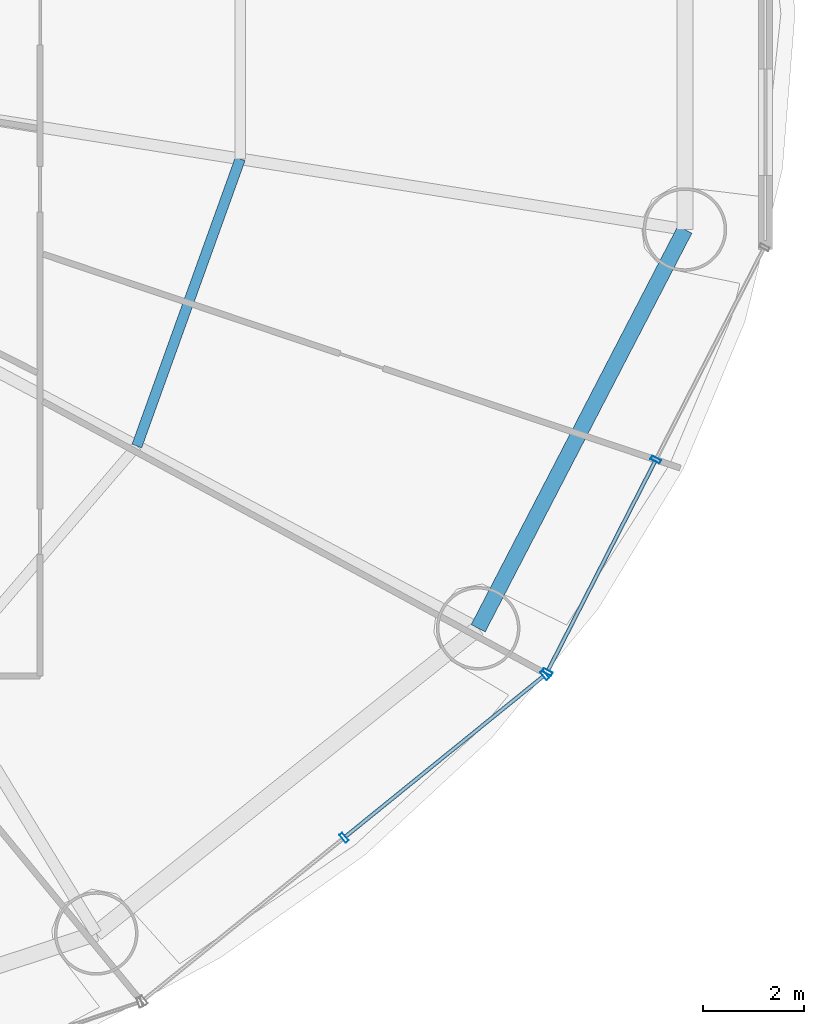
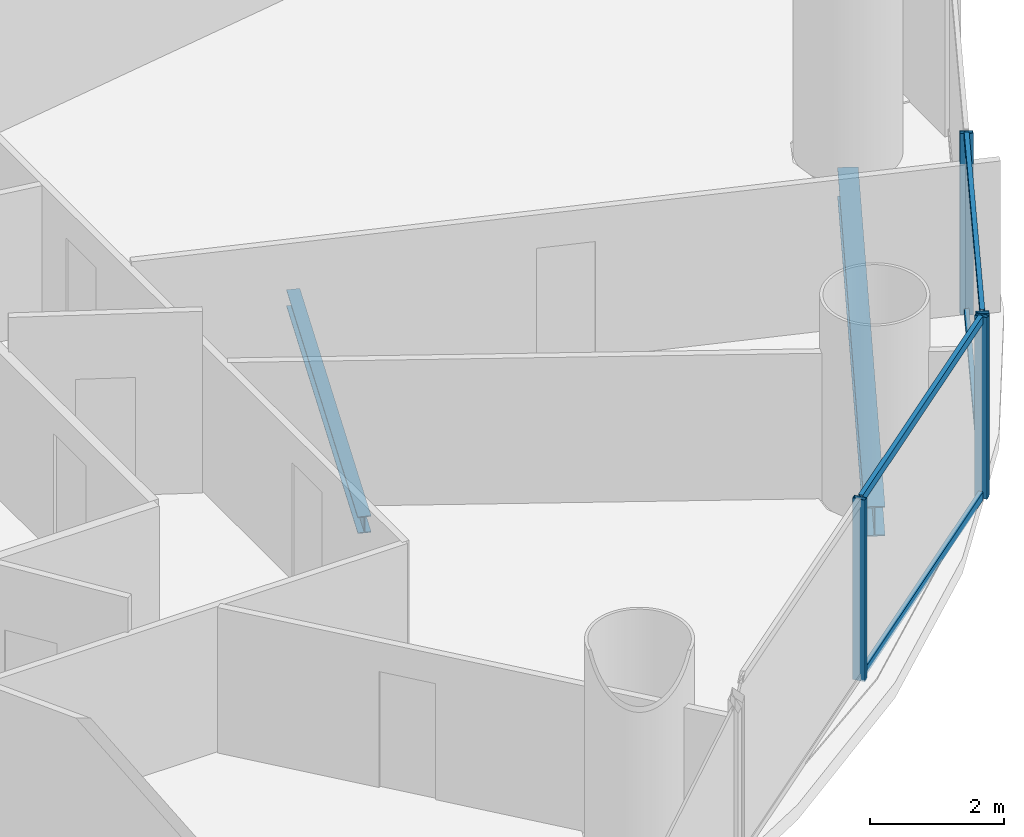
# One storey, part 10 of 28: 8 members, 2 beams, 2 elements without a shape of their own.
"""IFC4 building model written with IfcOpenShell, lengths in metres."""

import ifcopenshell
import ifcopenshell.guid

model = None  # the IFC model being written
_history = None  # IfcOwnerHistory: only IFC2X3 demands one
_inside = {}  # id of a spatial element -> (the spatial element, [elements in it])
_under = {}  # id of a project, library or spatial element -> (it, [spatial elements below it])
_declared = {}  # id of a project -> (the project, [libraries it declares])
_typed = {}  # id of a type object -> (the type object, [elements of that type])
_made_of = {}  # id of a material, layer set ... -> (it, [elements and type objects made of it])


def new_model(schema):
    """Start an empty IFC model of exactly this schema.

    Asked for "IFC4X3", IfcOpenShell would pick the latest addendum, in which some entities
    have other attributes; the version numbers below select the first issue.
    IFC2X3 requires an IfcOwnerHistory on every rooted entity: one is made here for all.
    """
    global model, _history
    if schema == "IFC4X3":
        model = ifcopenshell.file(schema_version=(4, 3, 0, 0))
    else:
        model = ifcopenshell.file(schema=schema)
    _inside.clear()
    _under.clear()
    _declared.clear()
    _typed.clear()
    _made_of.clear()
    _history = None
    if model.schema == "IFC2X3":
        org = make("IfcOrganization", Name="unknown")
        user = make(
            "IfcPersonAndOrganization",
            ThePerson=make("IfcPerson", FamilyName="unknown"),
            TheOrganization=org,
        )
        app = make(
            "IfcApplication",
            ApplicationDeveloper=org,
            Version="unknown",
            ApplicationFullName="unknown",
            ApplicationIdentifier="unknown",
        )
        _history = make(
            "IfcOwnerHistory",
            OwningUser=user,
            OwningApplication=app,
            ChangeAction="ADDED",
            CreationDate=0,
        )
    return model


def make(cls, **values):
    """One entity of the class cls with the attributes given. An attribute that is None is left unset."""
    return model.create_entity(
        cls, **{name: value for name, value in values.items() if value is not None}
    )


def rooted(cls, **values):
    """An entity with a GlobalId (a new one), such as an element, a storey or a relation."""
    return make(cls, GlobalId=ifcopenshell.guid.new(), OwnerHistory=_history, **values)


def si_unit(unit_type, name, prefix=None):
    """IfcSIUnit, for example si_unit("LENGTHUNIT", "METRE", prefix="MILLI")."""
    return make("IfcSIUnit", UnitType=unit_type, Prefix=prefix, Name=name)


def assignment(units):
    """IfcUnitAssignment: the units of a project."""
    return None if units is None else make("IfcUnitAssignment", Units=units)


def point(xyz):
    """IfcCartesianPoint."""
    return None if xyz is None else make("IfcCartesianPoint", Coordinates=xyz)


def direction(xyz):
    """IfcDirection."""
    return None if xyz is None else make("IfcDirection", DirectionRatios=xyz)


def frame(location, z_axis=None, x_axis=None):
    """IfcAxis2Placement3D, a coordinate frame: its origin and axes. An axis left out is left unset."""
    return make(
        "IfcAxis2Placement3D",
        Location=point(location),
        Axis=direction(z_axis),
        RefDirection=direction(x_axis),
    )


def frame_2d(location, x_axis=None):
    """IfcAxis2Placement2D, a coordinate frame in the plane: its origin and x axis."""
    return make(
        "IfcAxis2Placement2D", Location=point(location), RefDirection=direction(x_axis)
    )


def origin():
    """The frame at (0, 0, 0) with its axes left unset."""
    return frame((0.0, 0.0, 0.0))


def origin_2d():
    """The frame at (0, 0) in the plane with its x axis left unset."""
    return frame_2d((0.0, 0.0))


def place(relative_to, where):
    """IfcLocalPlacement: puts the frame where relative to a parent placement (None: the world)."""
    return make(
        "IfcLocalPlacement", PlacementRelTo=relative_to, RelativePlacement=where
    )


def context(
    kind, dimensions, precision=None, world=None, true_north=None, identifier=None
):
    """IfcGeometricRepresentationContext, for example the 3D "Model" context."""
    return make(
        "IfcGeometricRepresentationContext",
        ContextIdentifier=identifier,
        ContextType=kind,
        CoordinateSpaceDimension=dimensions,
        Precision=precision,
        WorldCoordinateSystem=world,
        TrueNorth=true_north,
    )


def subcontext(parent, identifier, kind, view, scale=None):
    """IfcGeometricRepresentationSubContext, for example "Body" below "Model"."""
    return make(
        "IfcGeometricRepresentationSubContext",
        ContextIdentifier=identifier,
        ContextType=kind,
        ParentContext=parent,
        TargetScale=scale,
        TargetView=view,
    )


def project(units=None, contexts=None):
    """IfcProject with its units and contexts."""
    return rooted(
        "IfcProject",
        Name="project",
        RepresentationContexts=contexts,
        UnitsInContext=assignment(units),
    )


def spatial(cls, under=None, at=None, **own):
    """A site, building, storey or space (cls), placed at a placement, below another one or the project."""
    s = rooted(cls, ObjectPlacement=at, **own)
    if under is not None:
        _under.setdefault(under.id(), (under, []))[1].append(s)
    return s


def profile(cls, at=None, kind="AREA", **sizes):
    """A parametric profile (cls). Its sizes go by their IFC names, for example OverallWidth=200.0."""
    return make(cls, ProfileType=kind, Position=at, **sizes)


def hollow_rectangle(**sizes):
    """IfcRectangleHollowProfileDef."""
    return profile("IfcRectangleHollowProfileDef", **sizes)


def i_section(**sizes):
    """IfcIShapeProfileDef."""
    return profile("IfcIShapeProfileDef", **sizes)


def extrude(swept, where, along, depth):
    """IfcExtrudedAreaSolid: the profile swept, set in the frame where, extruded along a direction by depth."""
    return make(
        "IfcExtrudedAreaSolid",
        SweptArea=swept,
        Position=where,
        ExtrudedDirection=direction(along),
        Depth=depth,
    )


def shape(context_of_items, identifier, shape_type, items):
    """IfcShapeRepresentation: the items that make up one representation, for example the "Body"."""
    return make(
        "IfcShapeRepresentation",
        ContextOfItems=context_of_items,
        RepresentationIdentifier=identifier,
        RepresentationType=shape_type,
        Items=items,
    )


def source(mapping_origin, context_of_items, identifier, shape_type, items):
    """IfcRepresentationMap: a shape defined once, which mapped items show again and again."""
    return make(
        "IfcRepresentationMap",
        MappingOrigin=mapping_origin,
        MappedRepresentation=shape(context_of_items, identifier, shape_type, items),
    )


def transform(
    local_origin,
    x_axis=None,
    y_axis=None,
    z_axis=None,
    scale=None,
    scale2=None,
    scale3=None,
    uniform=True,
):
    """IfcCartesianTransformationOperator3D, or its non-uniform kind. x_axis, y_axis, z_axis: its Axis1, 2, 3."""
    if uniform:
        return make(
            "IfcCartesianTransformationOperator3D",
            Axis1=direction(x_axis),
            Axis2=direction(y_axis),
            LocalOrigin=point(local_origin),
            Scale=scale,
            Axis3=direction(z_axis),
        )
    return make(
        "IfcCartesianTransformationOperator3DnonUniform",
        Axis1=direction(x_axis),
        Axis2=direction(y_axis),
        LocalOrigin=point(local_origin),
        Scale=scale,
        Axis3=direction(z_axis),
        Scale2=scale2,
        Scale3=scale3,
    )


def mapped(mapping_source, mapping_target):
    """IfcMappedItem: shows the shape of a source again, moved by a transform."""
    return make(
        "IfcMappedItem", MappingSource=mapping_source, MappingTarget=mapping_target
    )


def material(Name=None, Category=None):
    """IfcMaterial."""
    return make("IfcMaterial", Name=Name, Category=Category)


def material_profile(
    of_material, cross_section, Name=None, Category=None, Priority=None
):
    """IfcMaterialProfile: a cross section and its material."""
    return make(
        "IfcMaterialProfile",
        Name=Name,
        Material=of_material,
        Profile=cross_section,
        Priority=Priority,
        Category=Category,
    )


def profile_set(profiles, Name=None, composite=None):
    """IfcMaterialProfileSet."""
    return make(
        "IfcMaterialProfileSet",
        Name=Name,
        MaterialProfiles=profiles,
        CompositeProfile=composite,
    )


def made_of(thing, what):
    """Note that an element or type object is made of a material, layer set ...; save() writes the relation."""
    if what is not None:
        _made_of.setdefault(what.id(), (what, []))[1].append(thing)
    return thing


def type_object(cls, material=None, **own):
    """A type object (cls), such as IfcWallType, which elements share."""
    return made_of(rooted(cls, **own), material)


def element(
    cls,
    number,
    at=None,
    inside=None,
    cuts=None,
    type_object=None,
    material=None,
    context=None,
    identifier="Body",
    shape_type=None,
    held_by="IfcProductDefinitionShape",
    body=None,
    shapes=None,
    **own,
):
    """One element of the class cls, such as IfcWall. Its Tag is "e" and its number.

    at: its placement. inside: the storey or other place that contains it. cuts: it is an
    opening in that element (IfcRelVoidsElement). A single representation is given by context,
    identifier, shape_type and body (its items); several are given by shapes. held_by: the class
    of the entity that holds the representations. save() writes the other relations.
    """
    e = rooted(cls, Tag="e%d" % number, ObjectPlacement=at, **own)
    if body is not None:
        shapes = [shape(context, identifier, shape_type, body)]
    if shapes is not None:
        e.Representation = make(held_by, Representations=shapes)
    if inside is not None:
        _inside.setdefault(inside.id(), (inside, []))[1].append(e)
    if cuts is not None:
        rooted(
            "IfcRelVoidsElement", RelatingBuildingElement=cuts, RelatedOpeningElement=e
        )
    if type_object is not None:
        _typed.setdefault(type_object.id(), (type_object, []))[1].append(e)
    return made_of(e, material)


def aggregate(whole, parts):
    """IfcRelAggregates: a whole, such as a stair, and the parts it consists of."""
    return rooted("IfcRelAggregates", RelatingObject=whole, RelatedObjects=parts)


def save(model, path):
    """Write the relations noted so far, then the file.

    IfcRelAggregates (storeys below a building ...), IfcRelContainedInSpatialStructure (elements
    in a storey), IfcRelDefinesByType, IfcRelAssociatesMaterial and IfcRelDeclares: one each for
    every whole, place, type object, material and project.
    """
    for whole, parts in _under.values():
        aggregate(whole, parts)
    for where, things in _inside.values():
        rooted(
            "IfcRelContainedInSpatialStructure",
            RelatedElements=things,
            RelatingStructure=where,
        )
    for kind, things in _typed.values():
        rooted("IfcRelDefinesByType", RelatedObjects=things, RelatingType=kind)
    for what, things in _made_of.values():
        rooted("IfcRelAssociatesMaterial", RelatedObjects=things, RelatingMaterial=what)
    for by, libraries in _declared.values():
        rooted("IfcRelDeclares", RelatingContext=by, RelatedDefinitions=libraries)
    model.write(path)


model = new_model("IFC4")

# Units and contexts
model_context = context("Model", 3, precision=1e-05, world=origin(), true_north=direction((-0.2419218956, 0.970295726276)))
body_context = subcontext(model_context, "Body", "Model", "MODEL_VIEW")
ifc_project = project(units=[si_unit("LENGTHUNIT", "METRE"), si_unit("AREAUNIT", "SQUARE_METRE"), si_unit("VOLUMEUNIT", "CUBIC_METRE"), si_unit("PLANEANGLEUNIT", "RADIAN"), si_unit("MASSUNIT", "GRAM", prefix="KILO")], contexts=[model_context])

# Site, building, storey
site_placement = place(None, origin())
site = spatial("IfcSite", under=ifc_project, at=site_placement, CompositionType="ELEMENT")
building_placement = place(site_placement, origin())
building = spatial("IfcBuilding", under=site, at=building_placement, Name="Cobrevalo Terracotta Tower", CompositionType="ELEMENT")
storey_placement = place(building_placement, frame((0.0, 0.0, 38.39990234375)))
storey = spatial("IfcBuildingStorey", under=building, at=storey_placement, Name="L09", CompositionType="ELEMENT", Elevation=38.39990234375)

# Beams
ifc_material_1 = material(Name="Steel S355", Category="steel")
ifc_material_profile_1 = material_profile(ifc_material_1, i_section(OverallWidth=0.2041015625, OverallDepth=0.305908203125, WebThickness=0.008544921875, FlangeThickness=0.0146484375, at=origin_2d()), Name="W 310x67")
ifc_profile_set_1 = profile_set([ifc_material_profile_1], Name="Steel S355")
beam_type_1 = type_object("IfcBeamType", Name="Structural Joist W 310x67 (Steel S355)", PredefinedType="JOIST", material=ifc_profile_set_1)
beam_1_placement = place(storey_placement, frame((53.997802734375, 18.26025390625, -0.432861328125), z_axis=(0.338672151116, 0.940904444701, 0.0), x_axis=(-0.940904444701, 0.338672151116, 0.0)))
element("IfcBeam", 1, at=beam_1_placement, inside=storey, type_object=beam_type_1, Name="L09 circumferential secondary floor joist 15", PredefinedType="JOIST", context=body_context, shape_type="SweptSolid", body=[
    extrude(i_section(OverallWidth=0.2041015625, OverallDepth=0.305908203125, WebThickness=0.008544921875, FlangeThickness=0.0146484375, at=origin_2d()), origin(), (0.0, 0.0, 1.0), 6.029296875),
])
ifc_material_profile_2 = material_profile(ifc_material_1, i_section(OverallWidth=0.31201171875, OverallDepth=0.54296875, WebThickness=0.0126953125, FlangeThickness=0.020263671875, at=origin_2d()), Name="W 530x150")
ifc_profile_set_2 = profile_set([ifc_material_profile_2], Name="Steel S355")
beam_type_2 = type_object("IfcBeamType", Name="Structural Spandrel W 530x150 (Steel S355)", PredefinedType="SPANDREL", material=ifc_profile_set_2)
beam_2_placement = place(storey_placement, frame((60.74072265625, 14.660888671875, -0.551513671875), z_axis=(0.460285838799, 0.88777077368, 0.0), x_axis=(-0.88777077368, 0.460285838799, 0.0)))
element("IfcBeam", 2, at=beam_2_placement, inside=storey, type_object=beam_type_2, Name="L09 perimeter ring spandrel 15", PredefinedType="SPANDREL", context=body_context, shape_type="SweptSolid", body=[
    extrude(i_section(OverallWidth=0.31201171875, OverallDepth=0.54296875, WebThickness=0.0126953125, FlangeThickness=0.020263671875, at=origin_2d()), origin(), (0.0, 0.0, 1.0), 8.8720703125),
])

# Curtain wall, members
ifc_material_2 = material(Name="Anodized aluminium", Category="aluminium")
curtain_wall_type = type_object("IfcCurtainWallType", Name="Lower-tower unitised acoustic low-E curtain wall CW-U1", PredefinedType="NOTDEFINED", material=ifc_material_2)
curtain_wall_1_placement = place(storey_placement, origin())
curtain_wall_1 = element("IfcCurtainWall", 3, at=curtain_wall_1_placement, inside=storey, type_object=curtain_wall_type, Name="L09 curtain wall CW-L09-S14", PredefinedType="NOTDEFINED")
ifc_material_profile_3 = material_profile(ifc_material_2, hollow_rectangle(XDim=0.074951171875, YDim=0.199951171875, WallThickness=0.0048828125, at=origin_2d()), Name="CWM 75x200")
ifc_profile_set_3 = profile_set([ifc_material_profile_3], Name="Anodized aluminium")
member_type_1 = type_object("IfcMemberType", Name="Lower/mid tower unitised mullion 75x200", PredefinedType="MULLION", material=ifc_profile_set_3)
shared_shape_1 = source(origin(), body_context, "Body", "SweptSolid", [
    extrude(hollow_rectangle(XDim=0.074951171875, YDim=0.199951171875, WallThickness=0.0048828125, at=origin_2d()), origin(), (0.0, 0.0, 1.0), 3.320068359375),
])
member_1_placement = place(storey_placement, frame((58.09130859375, 10.523193359375, 0.0), z_axis=(0.0, 0.0, 1.0), x_axis=(0.777003153187, 0.629496703675, 0.0)))
member_1 = element("IfcMember", 4, at=member_1_placement, type_object=member_type_1, Name="CW-L09-S14 vertical mullion 02", PredefinedType="MULLION", context=body_context, shape_type="MappedRepresentation", body=[
    mapped(shared_shape_1, transform((0.0, 0.0, 0.0), scale=1.0)),
])
member_2_placement = place(storey_placement, frame((62.056640625, 13.735595703125, 0.0), z_axis=(0.0, 0.0, 1.0), x_axis=(0.777003153187, 0.629496703675, 0.0)))
member_2 = element("IfcMember", 5, at=member_2_placement, type_object=member_type_1, Name="CW-L09-S14 vertical mullion 03", PredefinedType="MULLION", context=body_context, shape_type="MappedRepresentation", body=[
    mapped(shared_shape_1, transform((0.0, 0.0, 0.0), scale=1.0)),
])

curtain_wall_2_placement = place(storey_placement, origin())
curtain_wall_2 = element("IfcCurtainWall", 6, at=curtain_wall_2_placement, inside=storey, type_object=curtain_wall_type, Name="L09 curtain wall CW-L09-S15", PredefinedType="NOTDEFINED")
member_3_placement = place(storey_placement, frame((62.10595703125, 13.79638671875, 0.0), z_axis=(0.0, 0.0, 1.0), x_axis=(0.455234136597, 0.890371765543, 0.0)))
member_3 = element("IfcMember", 7, at=member_3_placement, type_object=member_type_1, Name="CW-L09-S15 vertical mullion 01", PredefinedType="MULLION", context=body_context, shape_type="MappedRepresentation", body=[
    mapped(shared_shape_1, transform((0.0, 0.0, 0.0), scale=1.0)),
])
member_4_placement = place(storey_placement, frame((64.25048828125, 17.990966796875, 0.0), z_axis=(0.0, 0.0, 1.0), x_axis=(0.455234136597, 0.890371765543, 0.0)))
member_4 = element("IfcMember", 8, at=member_4_placement, type_object=member_type_1, Name="CW-L09-S15 vertical mullion 02", PredefinedType="MULLION", context=body_context, shape_type="MappedRepresentation", body=[
    mapped(shared_shape_1, transform((0.0, 0.0, 0.0), scale=1.0)),
])

# Member
ifc_material_profile_4 = material_profile(ifc_material_2, hollow_rectangle(XDim=0.074951171875, YDim=0.14990234375, WallThickness=0.00439453125, at=origin_2d()), Name="CWT 75x150")
ifc_profile_set_4 = profile_set([ifc_material_profile_4], Name="Anodized aluminium")
member_type_2 = type_object("IfcMemberType", Name="Tower unitised aluminium transom 75x150", PredefinedType="USERDEFINED", material=ifc_profile_set_4)
shared_shape_2 = source(origin(), body_context, "Body", "SweptSolid", [
    extrude(hollow_rectangle(XDim=0.074951171875, YDim=0.14990234375, WallThickness=0.00439453125, at=origin_2d()), origin(), (0.0, 0.0, 1.0), 5.0234375),
])
member_5_placement = place(storey_placement, frame((58.122314453125, 10.54833984375, 0.050048828125), z_axis=(0.777022991593, 0.629472215857, 0.0), x_axis=(-0.629472215857, 0.777022991593, 0.0)))
member_5 = element("IfcMember", 9, at=member_5_placement, type_object=member_type_2, Name="CW-L09-S14 transom B02-T1", ObjectType="TRANSOM", PredefinedType="USERDEFINED", context=body_context, shape_type="MappedRepresentation", body=[
    mapped(shared_shape_2, transform((0.0, 0.0, 0.0), scale=1.0)),
])

member_6_placement = place(storey_placement, frame((58.122314453125, 10.54833984375, 3.27001953125), z_axis=(0.777022991593, 0.629472215857, 0.0), x_axis=(-0.629472215857, 0.777022991593, 0.0)))
member_6 = element("IfcMember", 10, at=member_6_placement, type_object=member_type_2, Name="CW-L09-S14 transom B02-T2", ObjectType="TRANSOM", PredefinedType="USERDEFINED", context=body_context, shape_type="MappedRepresentation", body=[
    mapped(shared_shape_2, transform((0.0, 0.0, 0.0), scale=1.0)),
])

aggregate(curtain_wall_1, [member_1, member_2, member_5, member_6])

shared_shape_3 = source(origin(), body_context, "Body", "SweptSolid", [
    extrude(hollow_rectangle(XDim=0.074951171875, YDim=0.14990234375, WallThickness=0.00439453125, at=origin_2d()), origin(), (0.0, 0.0, 1.0), 4.631103515625),
])
member_7_placement = place(storey_placement, frame((62.1240234375, 13.83203125, 0.050048828125), z_axis=(0.455271744945, 0.89035253594, 0.0), x_axis=(-0.89035253594, 0.455271744945, 0.0)))
member_7 = element("IfcMember", 11, at=member_7_placement, type_object=member_type_2, Name="CW-L09-S15 transom B01-T1", ObjectType="TRANSOM", PredefinedType="USERDEFINED", context=body_context, shape_type="MappedRepresentation", body=[
    mapped(shared_shape_3, transform((0.0, 0.0, 0.0), scale=1.0)),
])

member_8_placement = place(storey_placement, frame((62.1240234375, 13.83203125, 3.27001953125), z_axis=(0.455271744945, 0.89035253594, 0.0), x_axis=(-0.89035253594, 0.455271744945, 0.0)))
member_8 = element("IfcMember", 12, at=member_8_placement, type_object=member_type_2, Name="CW-L09-S15 transom B01-T2", ObjectType="TRANSOM", PredefinedType="USERDEFINED", context=body_context, shape_type="MappedRepresentation", body=[
    mapped(shared_shape_3, transform((0.0, 0.0, 0.0), scale=1.0)),
])

aggregate(curtain_wall_2, [member_3, member_4, member_7, member_8])

save(model, "model.ifc")
